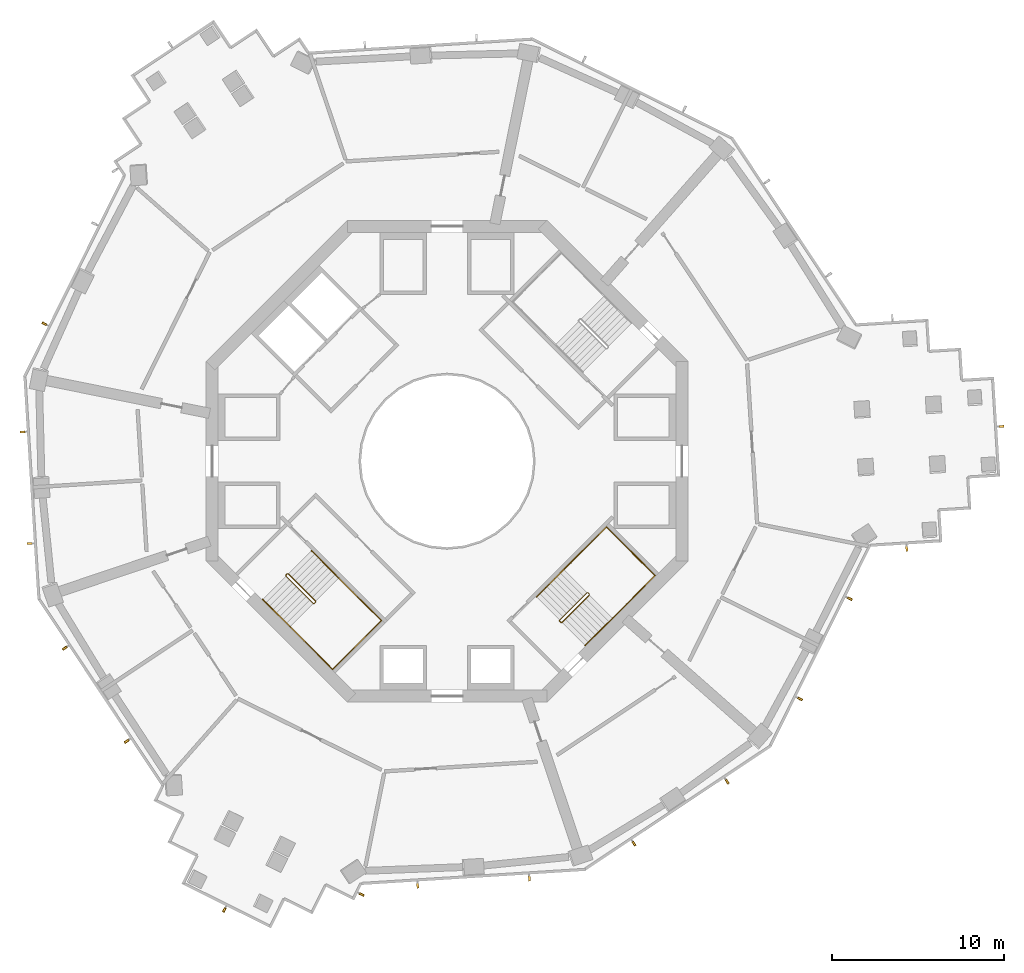
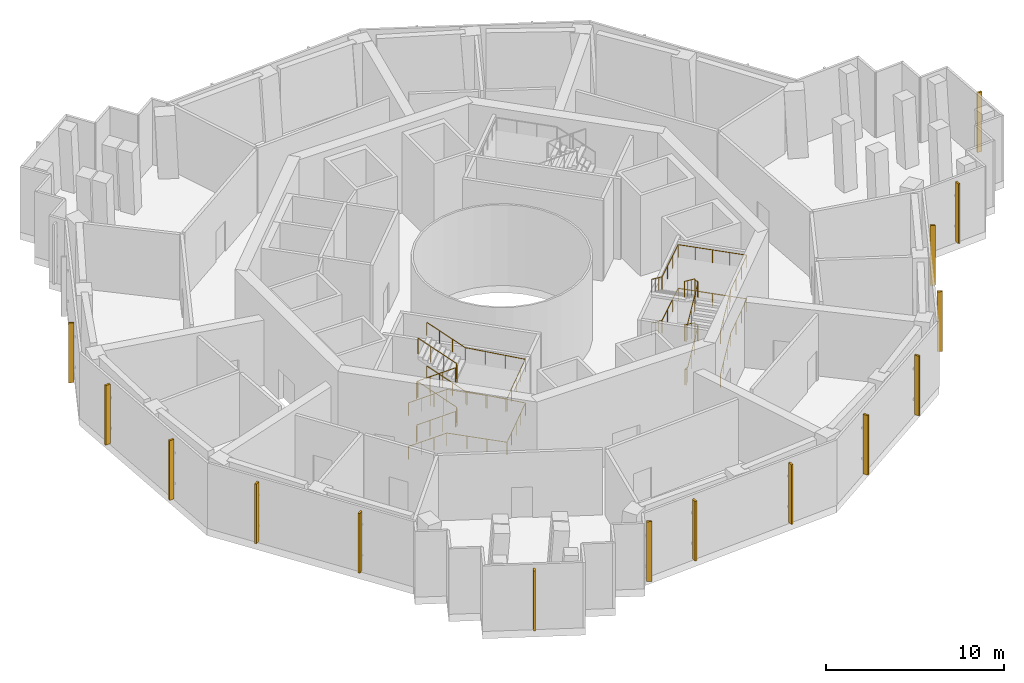
# One storey, part 15 of 16: 15 shading devices, 6 railings.
"""IFC4 building model written with IfcOpenShell, lengths in metres."""

from ifc_helpers import new_model, si_unit, direction, frame, origin, origin_2d, place, context, subcontext, project, spatial, rectangle, circle, extrude, material, material_profile, profile_set, type_object, element, save


model = new_model("IFC4")

# Units and contexts
model_context = context("Model", 3, precision=1e-05, world=origin(), true_north=direction((0.0, 1.0)))
body_context = subcontext(model_context, "Body", "Model", "MODEL_VIEW")
ifc_project = project(units=[si_unit("LENGTHUNIT", "METRE"), si_unit("AREAUNIT", "SQUARE_METRE"), si_unit("VOLUMEUNIT", "CUBIC_METRE"), si_unit("PLANEANGLEUNIT", "RADIAN"), si_unit("MASSUNIT", "GRAM", prefix="KILO")], contexts=[model_context])

# Site, building, storey
site_placement = place(None, origin())
site = spatial("IfcSite", under=ifc_project, at=site_placement, CompositionType="ELEMENT")
building_placement = place(site_placement, origin())
building = spatial("IfcBuilding", under=site, at=building_placement, Name="Verdalira Terraces Hotel", CompositionType="ELEMENT")
storey_placement = place(building_placement, frame((0.0, 0.0, 169.0)))
storey = spatial("IfcBuildingStorey", under=building, at=storey_placement, Name="L41", CompositionType="ELEMENT", Elevation=169.0)

# Railings
ifc_material_1 = material(Name="Stainless steel", Category="steel")
railing_type_1 = type_object("IfcRailingType", Name="Stair guard 1100", PredefinedType="GUARDRAIL", material=ifc_material_1)
railing_1_placement = place(storey_placement, frame((-9.369141, -6.611328, 0.0)))
element("IfcRailing", 1, at=railing_1_placement, inside=storey, type_object=railing_type_1, Name="L41 ST2 stair guard 1", PredefinedType="GUARDRAIL", context=body_context, shape_type="SweptSolid", body=[
    extrude(circle(Radius=0.023926, at=origin_2d()), frame((0.0, 0.0, 1.076172), z_axis=(0.70832698, 0.705884473, 0.0), x_axis=(-0.705884473, 0.70832698, 0.0)), (0.0, 0.0, 1.0), 0.099854),
    extrude(circle(Radius=0.023926, at=origin_2d()), frame((0.070801, 0.070557, 1.076172), z_axis=(-0.308122069, -0.615181649, 0.725680598), x_axis=(0.894118129, -0.447831187, 0.0)), (0.0, 0.0, 1.0), 0.229736),
    extrude(circle(Radius=0.023926, at=origin_2d()), frame((0.0, -0.070801, 1.242676), z_axis=(0.607628069, -0.607628069, 0.511445266), x_axis=(0.707106781, 0.707106781, 0.0)), (0.0, 0.0, 1.0), 2.606934),
    extrude(circle(Radius=0.023926, at=origin_2d()), frame((1.583984, -1.654785, 2.576172), z_axis=(1.0, 0.0, 0.0), x_axis=(0.0, 1.0, 0.0)), (0.0, 0.0, 1.0), 0.070557),
    extrude(circle(Radius=0.023926, at=origin_2d()), frame((1.654541, -1.654785, 2.576172), z_axis=(0.707106781, 0.707106781, 0.0), x_axis=(-0.707106781, 0.707106781, 0.0)), (0.0, 0.0, 1.0), 0.100098),
    extrude(circle(Radius=0.023926, at=origin_2d()), frame((1.725342, -1.583984, 2.576172), z_axis=(0.0, 0.389683978, 0.92094864), x_axis=(-1.0, 0.0, 0.0)), (0.0, 0.0, 1.0), 0.181152),
    extrude(circle(Radius=0.023926, at=origin_2d()), frame((1.725342, -1.513428, 2.742676), z_axis=(-0.607628069, 0.607628069, 0.511445266), x_axis=(-0.707106781, -0.707106781, 0.0)), (0.0, 0.0, 1.0), 2.606934),
    extrude(circle(Radius=0.023926, at=origin_2d()), frame((0.141357, 0.070557, 4.076172), z_axis=(-1.0, 0.0, 0.0), x_axis=(0.0, -1.0, 0.0)), (0.0, 0.0, 1.0), 0.070557),
    extrude(circle(Radius=0.023926, at=origin_2d()), frame((0.070801, 0.070557, 4.076172), z_axis=(-0.70832698, -0.705884473, 0.0), x_axis=(0.705884473, -0.70832698, 0.0)), (0.0, 0.0, 1.0), 0.099854),
    extrude(circle(Radius=0.023926, at=origin_2d()), frame((0.0, 0.0, 4.076172), z_axis=(0.0, -0.390826706, 0.920464277), x_axis=(1.0, 0.0, 0.0)), (0.0, 0.0, 1.0), 0.181152),
    extrude(circle(Radius=0.023926, at=origin_2d()), frame((0.0, -0.070801, 4.242676), z_axis=(0.607628069, -0.607628069, 0.511445266), x_axis=(0.707106781, 0.707106781, 0.0)), (0.0, 0.0, 1.0), 2.606934),
    extrude(circle(Radius=0.023926, at=origin_2d()), frame((1.583984, -1.654785, 5.576172), z_axis=(1.0, 0.0, 0.0), x_axis=(0.0, 1.0, 0.0)), (0.0, 0.0, 1.0), 0.070557),
    extrude(circle(Radius=0.023926, at=origin_2d()), frame((1.654541, -1.654785, 5.576172), z_axis=(0.707106781, 0.707106781, 0.0), x_axis=(-0.707106781, 0.707106781, 0.0)), (0.0, 0.0, 1.0), 0.100098),
    extrude(circle(Radius=0.023926, at=origin_2d()), frame((1.725342, -1.583984, 5.576172), z_axis=(0.0, 0.389683978, 0.92094864), x_axis=(-1.0, 0.0, 0.0)), (0.0, 0.0, 1.0), 0.181152),
    extrude(circle(Radius=0.023926, at=origin_2d()), frame((1.725342, -1.513428, 5.742676), z_axis=(-0.607628069, 0.607628069, 0.511445266), x_axis=(-0.707106781, -0.707106781, 0.0)), (0.0, 0.0, 1.0), 2.606934),
    extrude(circle(Radius=0.020996, at=origin_2d()), origin(), (0.0, 0.0, 1.0), 1.052002),
    extrude(circle(Radius=0.020996, at=origin_2d()), frame((0.070801, 0.070557, 0.0)), (0.0, 0.0, 1.0), 1.052002),
    extrude(circle(Radius=0.020996, at=origin_2d()), frame((0.0, -0.070801, 0.166748)), (0.0, 0.0, 1.0), 1.052002),
    extrude(circle(Radius=0.020996, at=origin_2d()), frame((0.528076, -0.598877, 0.611084)), (0.0, 0.0, 1.0), 1.052002),
    extrude(circle(Radius=0.020996, at=origin_2d()), frame((1.055908, -1.126709, 1.055664)), (0.0, 0.0, 1.0), 1.052002),
    extrude(circle(Radius=0.020996, at=origin_2d()), frame((1.583984, -1.654785, 1.5)), (0.0, 0.0, 1.0), 1.052002),
    extrude(circle(Radius=0.020996, at=origin_2d()), frame((1.654541, -1.654785, 1.5)), (0.0, 0.0, 1.0), 1.052002),
    extrude(circle(Radius=0.020996, at=origin_2d()), frame((1.725342, -1.583984, 1.5)), (0.0, 0.0, 1.0), 1.052002),
    extrude(circle(Radius=0.020996, at=origin_2d()), frame((1.725342, -1.513428, 1.666748)), (0.0, 0.0, 1.0), 1.052002),
    extrude(circle(Radius=0.020996, at=origin_2d()), frame((1.197266, -0.985352, 2.111084)), (0.0, 0.0, 1.0), 1.052002),
    extrude(circle(Radius=0.020996, at=origin_2d()), frame((0.669434, -0.45752, 2.555664)), (0.0, 0.0, 1.0), 1.052002),
    extrude(circle(Radius=0.020996, at=origin_2d()), frame((0.141357, 0.070557, 3.0)), (0.0, 0.0, 1.0), 1.052002),
    extrude(circle(Radius=0.020996, at=origin_2d()), frame((0.070801, 0.070557, 3.0)), (0.0, 0.0, 1.0), 1.052002),
    extrude(circle(Radius=0.020996, at=origin_2d()), frame((0.0, 0.0, 3.0)), (0.0, 0.0, 1.0), 1.052002),
    extrude(circle(Radius=0.020996, at=origin_2d()), frame((0.0, -0.070801, 3.166748)), (0.0, 0.0, 1.0), 1.052002),
    extrude(circle(Radius=0.020996, at=origin_2d()), frame((0.528076, -0.598877, 3.611084)), (0.0, 0.0, 1.0), 1.052002),
    extrude(circle(Radius=0.020996, at=origin_2d()), frame((1.055908, -1.126709, 4.055664)), (0.0, 0.0, 1.0), 1.052002),
    extrude(circle(Radius=0.020996, at=origin_2d()), frame((1.583984, -1.654785, 4.5)), (0.0, 0.0, 1.0), 1.052002),
    extrude(circle(Radius=0.020996, at=origin_2d()), frame((1.654541, -1.654785, 4.5)), (0.0, 0.0, 1.0), 1.052002),
    extrude(circle(Radius=0.020996, at=origin_2d()), frame((1.725342, -1.583984, 4.5)), (0.0, 0.0, 1.0), 1.052002),
    extrude(circle(Radius=0.020996, at=origin_2d()), frame((1.725342, -1.513428, 4.666748)), (0.0, 0.0, 1.0), 1.052002),
    extrude(circle(Radius=0.020996, at=origin_2d()), frame((1.197266, -0.985352, 5.111084)), (0.0, 0.0, 1.0), 1.052002),
    extrude(circle(Radius=0.020996, at=origin_2d()), frame((0.669434, -0.45752, 5.555664)), (0.0, 0.0, 1.0), 1.052002),
    extrude(circle(Radius=0.020996, at=origin_2d()), frame((0.141357, 0.070557, 6.0)), (0.0, 0.0, 1.0), 1.052002),
])
railing_2_placement = place(storey_placement, frame((6.611328, -9.369141, 0.0)))
element("IfcRailing", 2, at=railing_2_placement, inside=storey, type_object=railing_type_1, Name="L41 ST3 stair guard 1", PredefinedType="GUARDRAIL", context=body_context, shape_type="SweptSolid", body=[
    extrude(circle(Radius=0.023926, at=origin_2d()), frame((0.0, 0.0, 1.076172), z_axis=(-0.705884473, 0.70832698, 0.0), x_axis=(-0.70832698, -0.705884473, 0.0)), (0.0, 0.0, 1.0), 0.099854),
    extrude(circle(Radius=0.023926, at=origin_2d()), frame((-0.070557, 0.070801, 1.076172), z_axis=(0.615181649, -0.308122069, 0.725680598), x_axis=(0.447831187, 0.894118129, 0.0)), (0.0, 0.0, 1.0), 0.229736),
    extrude(circle(Radius=0.023926, at=origin_2d()), frame((0.070801, 0.0, 1.242676), z_axis=(0.607628069, 0.607628069, 0.511445266), x_axis=(-0.707106781, 0.707106781, 0.0)), (0.0, 0.0, 1.0), 2.606934),
    extrude(circle(Radius=0.023926, at=origin_2d()), frame((1.654785, 1.583984, 2.576172), z_axis=(0.0, 1.0, 0.0), x_axis=(-1.0, 0.0, 0.0)), (0.0, 0.0, 1.0), 0.070557),
    extrude(circle(Radius=0.023926, at=origin_2d()), frame((1.654785, 1.654541, 2.576172), z_axis=(-0.707106781, 0.707106781, 0.0), x_axis=(-0.707106781, -0.707106781, 0.0)), (0.0, 0.0, 1.0), 0.100098),
    extrude(circle(Radius=0.023926, at=origin_2d()), frame((1.583984, 1.725342, 2.576172), z_axis=(-0.389683978, 0.0, 0.92094864), x_axis=(0.0, -1.0, 0.0)), (0.0, 0.0, 1.0), 0.181152),
    extrude(circle(Radius=0.023926, at=origin_2d()), frame((1.513428, 1.725342, 2.742676), z_axis=(-0.607628069, -0.607628069, 0.511445266), x_axis=(0.707106781, -0.707106781, 0.0)), (0.0, 0.0, 1.0), 2.606934),
    extrude(circle(Radius=0.023926, at=origin_2d()), frame((-0.070557, 0.141357, 4.076172), z_axis=(0.0, -1.0, 0.0), x_axis=(1.0, 0.0, 0.0)), (0.0, 0.0, 1.0), 0.070557),
    extrude(circle(Radius=0.023926, at=origin_2d()), frame((-0.070557, 0.070801, 4.076172), z_axis=(0.705884473, -0.70832698, 0.0), x_axis=(0.70832698, 0.705884473, 0.0)), (0.0, 0.0, 1.0), 0.099854),
    extrude(circle(Radius=0.023926, at=origin_2d()), frame((0.0, 0.0, 4.076172), z_axis=(0.390826706, 0.0, 0.920464277), x_axis=(0.0, 1.0, 0.0)), (0.0, 0.0, 1.0), 0.181152),
    extrude(circle(Radius=0.023926, at=origin_2d()), frame((0.070801, 0.0, 4.242676), z_axis=(0.607628069, 0.607628069, 0.511445266), x_axis=(-0.707106781, 0.707106781, 0.0)), (0.0, 0.0, 1.0), 2.606934),
    extrude(circle(Radius=0.023926, at=origin_2d()), frame((1.654785, 1.583984, 5.576172), z_axis=(0.0, 1.0, 0.0), x_axis=(-1.0, 0.0, 0.0)), (0.0, 0.0, 1.0), 0.070557),
    extrude(circle(Radius=0.023926, at=origin_2d()), frame((1.654785, 1.654541, 5.576172), z_axis=(-0.707106781, 0.707106781, 0.0), x_axis=(-0.707106781, -0.707106781, 0.0)), (0.0, 0.0, 1.0), 0.100098),
    extrude(circle(Radius=0.023926, at=origin_2d()), frame((1.583984, 1.725342, 5.576172), z_axis=(-0.389683978, 0.0, 0.92094864), x_axis=(0.0, -1.0, 0.0)), (0.0, 0.0, 1.0), 0.181152),
    extrude(circle(Radius=0.023926, at=origin_2d()), frame((1.513428, 1.725342, 5.742676), z_axis=(-0.607628069, -0.607628069, 0.511445266), x_axis=(0.707106781, -0.707106781, 0.0)), (0.0, 0.0, 1.0), 2.606934),
    extrude(circle(Radius=0.020996, at=origin_2d()), origin(), (0.0, 0.0, 1.0), 1.052002),
    extrude(circle(Radius=0.020996, at=origin_2d()), frame((-0.070557, 0.070801, 0.0)), (0.0, 0.0, 1.0), 1.052002),
    extrude(circle(Radius=0.020996, at=origin_2d()), frame((0.070801, 0.0, 0.166748)), (0.0, 0.0, 1.0), 1.052002),
    extrude(circle(Radius=0.020996, at=origin_2d()), frame((0.598877, 0.528076, 0.611084)), (0.0, 0.0, 1.0), 1.052002),
    extrude(circle(Radius=0.020996, at=origin_2d()), frame((1.126709, 1.055908, 1.055664)), (0.0, 0.0, 1.0), 1.052002),
    extrude(circle(Radius=0.020996, at=origin_2d()), frame((1.654785, 1.583984, 1.5)), (0.0, 0.0, 1.0), 1.052002),
    extrude(circle(Radius=0.020996, at=origin_2d()), frame((1.654785, 1.654541, 1.5)), (0.0, 0.0, 1.0), 1.052002),
    extrude(circle(Radius=0.020996, at=origin_2d()), frame((1.583984, 1.725342, 1.5)), (0.0, 0.0, 1.0), 1.052002),
    extrude(circle(Radius=0.020996, at=origin_2d()), frame((1.513428, 1.725342, 1.666748)), (0.0, 0.0, 1.0), 1.052002),
    extrude(circle(Radius=0.020996, at=origin_2d()), frame((0.985352, 1.197266, 2.111084)), (0.0, 0.0, 1.0), 1.052002),
    extrude(circle(Radius=0.020996, at=origin_2d()), frame((0.45752, 0.669434, 2.555664)), (0.0, 0.0, 1.0), 1.052002),
    extrude(circle(Radius=0.020996, at=origin_2d()), frame((-0.070557, 0.141357, 3.0)), (0.0, 0.0, 1.0), 1.052002),
    extrude(circle(Radius=0.020996, at=origin_2d()), frame((-0.070557, 0.070801, 3.0)), (0.0, 0.0, 1.0), 1.052002),
    extrude(circle(Radius=0.020996, at=origin_2d()), frame((0.0, 0.0, 3.0)), (0.0, 0.0, 1.0), 1.052002),
    extrude(circle(Radius=0.020996, at=origin_2d()), frame((0.070801, 0.0, 3.166748)), (0.0, 0.0, 1.0), 1.052002),
    extrude(circle(Radius=0.020996, at=origin_2d()), frame((0.598877, 0.528076, 3.611084)), (0.0, 0.0, 1.0), 1.052002),
    extrude(circle(Radius=0.020996, at=origin_2d()), frame((1.126709, 1.055908, 4.055664)), (0.0, 0.0, 1.0), 1.052002),
    extrude(circle(Radius=0.020996, at=origin_2d()), frame((1.654785, 1.583984, 4.5)), (0.0, 0.0, 1.0), 1.052002),
    extrude(circle(Radius=0.020996, at=origin_2d()), frame((1.654785, 1.654541, 4.5)), (0.0, 0.0, 1.0), 1.052002),
    extrude(circle(Radius=0.020996, at=origin_2d()), frame((1.583984, 1.725342, 4.5)), (0.0, 0.0, 1.0), 1.052002),
    extrude(circle(Radius=0.020996, at=origin_2d()), frame((1.513428, 1.725342, 4.666748)), (0.0, 0.0, 1.0), 1.052002),
    extrude(circle(Radius=0.020996, at=origin_2d()), frame((0.985352, 1.197266, 5.111084)), (0.0, 0.0, 1.0), 1.052002),
    extrude(circle(Radius=0.020996, at=origin_2d()), frame((0.45752, 0.669434, 5.555664)), (0.0, 0.0, 1.0), 1.052002),
    extrude(circle(Radius=0.020996, at=origin_2d()), frame((-0.070557, 0.141357, 6.0)), (0.0, 0.0, 1.0), 1.052002),
])
ifc_material_2 = material(Name="Stainless steel", Category="steel")
railing_type_2 = type_object("IfcRailingType", Name="Stair handrail 900", PredefinedType="HANDRAIL", material=ifc_material_2)
railing_3_placement = place(storey_placement, frame((-10.712646, -8.025635, 0.166748)))
element("IfcRailing", 3, at=railing_3_placement, inside=storey, type_object=railing_type_2, Name="L41 ST2 stair handrail 1", PredefinedType="HANDRAIL", context=body_context, shape_type="SweptSolid", body=[
    extrude(circle(Radius=0.023926, at=origin_2d()), frame((0.0, 0.0, 0.875977), z_axis=(0.607628069, -0.607628069, 0.511445266), x_axis=(0.707106781, 0.707106781, 0.0)), (0.0, 0.0, 1.0), 2.606934),
    extrude(circle(Radius=0.023926, at=origin_2d()), frame((1.583984, -1.583984, 2.208984), z_axis=(0.707106781, -0.707106781, 0.0), x_axis=(0.707106781, 0.707106781, 0.0)), (0.0, 0.0, 1.0), 3.51001),
    extrude(circle(Radius=0.023926, at=origin_2d()), frame((4.065918, -4.065918, 2.208984), z_axis=(0.707106781, 0.707106781, 0.0), x_axis=(-0.707106781, 0.707106781, 0.0)), (0.0, 0.0, 1.0), 4.0),
    extrude(circle(Radius=0.023926, at=origin_2d()), frame((6.894287, -1.237549, 2.208984), z_axis=(-0.706310197, 0.706310197, 0.047453262), x_axis=(-0.707106781, -0.707106781, 0.0)), (0.0, 0.0, 1.0), 3.513916),
    extrude(circle(Radius=0.023926, at=origin_2d()), frame((4.412354, 1.244385, 2.375977), z_axis=(-0.607628069, 0.607628069, 0.511445266), x_axis=(-0.707106781, -0.707106781, 0.0)), (0.0, 0.0, 1.0), 2.606934),
    extrude(circle(Radius=0.020996, at=origin_2d()), origin(), (0.0, 0.0, 1.0), 0.851807),
    extrude(circle(Radius=0.020996, at=origin_2d()), frame((0.528076, -0.528076, 0.444336)), (0.0, 0.0, 1.0), 0.851807),
    extrude(circle(Radius=0.020996, at=origin_2d()), frame((1.055908, -1.055908, 0.888916)), (0.0, 0.0, 1.0), 0.851807),
    extrude(circle(Radius=0.020996, at=origin_2d()), frame((1.583984, -1.583984, 1.333252)), (0.0, 0.0, 1.0), 0.851807),
    extrude(circle(Radius=0.020996, at=origin_2d()), frame((2.411377, -2.411377, 1.333252)), (0.0, 0.0, 1.0), 0.851807),
    extrude(circle(Radius=0.020996, at=origin_2d()), frame((3.238525, -3.238525, 1.333252)), (0.0, 0.0, 1.0), 0.851807),
    extrude(circle(Radius=0.020996, at=origin_2d()), frame((4.065918, -4.065918, 1.333252)), (0.0, 0.0, 1.0), 0.851807),
    extrude(circle(Radius=0.020996, at=origin_2d()), frame((4.772949, -3.358887, 1.333252)), (0.0, 0.0, 1.0), 0.851807),
    extrude(circle(Radius=0.020996, at=origin_2d()), frame((5.47998, -2.651855, 1.333252)), (0.0, 0.0, 1.0), 0.851807),
    extrude(circle(Radius=0.020996, at=origin_2d()), frame((6.187256, -1.94458, 1.333252)), (0.0, 0.0, 1.0), 0.851807),
    extrude(circle(Radius=0.020996, at=origin_2d()), frame((6.894287, -1.237549, 1.333252)), (0.0, 0.0, 1.0), 0.851807),
    extrude(circle(Radius=0.020996, at=origin_2d()), frame((6.066895, -0.410156, 1.388916)), (0.0, 0.0, 1.0), 0.851807),
    extrude(circle(Radius=0.020996, at=origin_2d()), frame((5.239746, 0.416992, 1.444336)), (0.0, 0.0, 1.0), 0.851807),
    extrude(circle(Radius=0.020996, at=origin_2d()), frame((4.412354, 1.244385, 1.5)), (0.0, 0.0, 1.0), 0.851807),
    extrude(circle(Radius=0.020996, at=origin_2d()), frame((3.884277, 1.772461, 1.944336)), (0.0, 0.0, 1.0), 0.851807),
    extrude(circle(Radius=0.020996, at=origin_2d()), frame((3.356445, 2.300293, 2.388916)), (0.0, 0.0, 1.0), 0.851807),
    extrude(circle(Radius=0.020996, at=origin_2d()), frame((2.828369, 2.828369, 2.833252)), (0.0, 0.0, 1.0), 0.851807),
])
railing_4_placement = place(storey_placement, frame((-10.712646, -8.025635, 3.166748)))
element("IfcRailing", 4, at=railing_4_placement, inside=storey, type_object=railing_type_2, Name="L41 ST2 stair handrail 2", PredefinedType="HANDRAIL", context=body_context, shape_type="SweptSolid", body=[
    extrude(circle(Radius=0.023926, at=origin_2d()), frame((0.0, 0.0, 0.875977), z_axis=(0.607628069, -0.607628069, 0.511445266), x_axis=(0.707106781, 0.707106781, 0.0)), (0.0, 0.0, 1.0), 2.606934),
    extrude(circle(Radius=0.023926, at=origin_2d()), frame((1.583984, -1.583984, 2.208984), z_axis=(0.707106781, -0.707106781, 0.0), x_axis=(0.707106781, 0.707106781, 0.0)), (0.0, 0.0, 1.0), 3.51001),
    extrude(circle(Radius=0.023926, at=origin_2d()), frame((4.065918, -4.065918, 2.208984), z_axis=(0.707106781, 0.707106781, 0.0), x_axis=(-0.707106781, 0.707106781, 0.0)), (0.0, 0.0, 1.0), 4.0),
    extrude(circle(Radius=0.023926, at=origin_2d()), frame((6.894287, -1.237549, 2.208984), z_axis=(-0.706310197, 0.706310197, 0.047453262), x_axis=(-0.707106781, -0.707106781, 0.0)), (0.0, 0.0, 1.0), 3.513916),
    extrude(circle(Radius=0.023926, at=origin_2d()), frame((4.412354, 1.244385, 2.375977), z_axis=(-0.607628069, 0.607628069, 0.511445266), x_axis=(-0.707106781, -0.707106781, 0.0)), (0.0, 0.0, 1.0), 2.606934),
    extrude(circle(Radius=0.020996, at=origin_2d()), origin(), (0.0, 0.0, 1.0), 0.851807),
    extrude(circle(Radius=0.020996, at=origin_2d()), frame((0.528076, -0.528076, 0.444336)), (0.0, 0.0, 1.0), 0.851807),
    extrude(circle(Radius=0.020996, at=origin_2d()), frame((1.055908, -1.055908, 0.888916)), (0.0, 0.0, 1.0), 0.851807),
    extrude(circle(Radius=0.020996, at=origin_2d()), frame((1.583984, -1.583984, 1.333252)), (0.0, 0.0, 1.0), 0.851807),
    extrude(circle(Radius=0.020996, at=origin_2d()), frame((2.411377, -2.411377, 1.333252)), (0.0, 0.0, 1.0), 0.851807),
    extrude(circle(Radius=0.020996, at=origin_2d()), frame((3.238525, -3.238525, 1.333252)), (0.0, 0.0, 1.0), 0.851807),
    extrude(circle(Radius=0.020996, at=origin_2d()), frame((4.065918, -4.065918, 1.333252)), (0.0, 0.0, 1.0), 0.851807),
    extrude(circle(Radius=0.020996, at=origin_2d()), frame((4.772949, -3.358887, 1.333252)), (0.0, 0.0, 1.0), 0.851807),
    extrude(circle(Radius=0.020996, at=origin_2d()), frame((5.47998, -2.651855, 1.333252)), (0.0, 0.0, 1.0), 0.851807),
    extrude(circle(Radius=0.020996, at=origin_2d()), frame((6.187256, -1.94458, 1.333252)), (0.0, 0.0, 1.0), 0.851807),
    extrude(circle(Radius=0.020996, at=origin_2d()), frame((6.894287, -1.237549, 1.333252)), (0.0, 0.0, 1.0), 0.851807),
    extrude(circle(Radius=0.020996, at=origin_2d()), frame((6.066895, -0.410156, 1.388916)), (0.0, 0.0, 1.0), 0.851807),
    extrude(circle(Radius=0.020996, at=origin_2d()), frame((5.239746, 0.416992, 1.444336)), (0.0, 0.0, 1.0), 0.851807),
    extrude(circle(Radius=0.020996, at=origin_2d()), frame((4.412354, 1.244385, 1.5)), (0.0, 0.0, 1.0), 0.851807),
    extrude(circle(Radius=0.020996, at=origin_2d()), frame((3.884277, 1.772461, 1.944336)), (0.0, 0.0, 1.0), 0.851807),
    extrude(circle(Radius=0.020996, at=origin_2d()), frame((3.356445, 2.300293, 2.388916)), (0.0, 0.0, 1.0), 0.851807),
    extrude(circle(Radius=0.020996, at=origin_2d()), frame((2.828369, 2.828369, 2.833252)), (0.0, 0.0, 1.0), 0.851807),
])
railing_5_placement = place(storey_placement, frame((8.025635, -10.712646, 0.166748)))
element("IfcRailing", 5, at=railing_5_placement, inside=storey, type_object=railing_type_2, Name="L41 ST3 stair handrail 1", PredefinedType="HANDRAIL", context=body_context, shape_type="SweptSolid", body=[
    extrude(circle(Radius=0.023926, at=origin_2d()), frame((0.0, 0.0, 0.875977), z_axis=(0.607628069, 0.607628069, 0.511445266), x_axis=(-0.707106781, 0.707106781, 0.0)), (0.0, 0.0, 1.0), 2.606934),
    extrude(circle(Radius=0.023926, at=origin_2d()), frame((1.583984, 1.583984, 2.208984), z_axis=(0.707106781, 0.707106781, 0.0), x_axis=(-0.707106781, 0.707106781, 0.0)), (0.0, 0.0, 1.0), 3.51001),
    extrude(circle(Radius=0.023926, at=origin_2d()), frame((4.065918, 4.065918, 2.208984), z_axis=(-0.707106781, 0.707106781, 0.0), x_axis=(-0.707106781, -0.707106781, 0.0)), (0.0, 0.0, 1.0), 4.0),
    extrude(circle(Radius=0.023926, at=origin_2d()), frame((1.237549, 6.894287, 2.208984), z_axis=(-0.706310197, -0.706310197, 0.047453262), x_axis=(0.707106781, -0.707106781, 0.0)), (0.0, 0.0, 1.0), 3.513916),
    extrude(circle(Radius=0.023926, at=origin_2d()), frame((-1.244385, 4.412354, 2.375977), z_axis=(-0.607628069, -0.607628069, 0.511445266), x_axis=(0.707106781, -0.707106781, 0.0)), (0.0, 0.0, 1.0), 2.606934),
    extrude(circle(Radius=0.020996, at=origin_2d()), origin(), (0.0, 0.0, 1.0), 0.851807),
    extrude(circle(Radius=0.020996, at=origin_2d()), frame((0.528076, 0.528076, 0.444336)), (0.0, 0.0, 1.0), 0.851807),
    extrude(circle(Radius=0.020996, at=origin_2d()), frame((1.055908, 1.055908, 0.888916)), (0.0, 0.0, 1.0), 0.851807),
    extrude(circle(Radius=0.020996, at=origin_2d()), frame((1.583984, 1.583984, 1.333252)), (0.0, 0.0, 1.0), 0.851807),
    extrude(circle(Radius=0.020996, at=origin_2d()), frame((2.411377, 2.411377, 1.333252)), (0.0, 0.0, 1.0), 0.851807),
    extrude(circle(Radius=0.020996, at=origin_2d()), frame((3.238525, 3.238525, 1.333252)), (0.0, 0.0, 1.0), 0.851807),
    extrude(circle(Radius=0.020996, at=origin_2d()), frame((4.065918, 4.065918, 1.333252)), (0.0, 0.0, 1.0), 0.851807),
    extrude(circle(Radius=0.020996, at=origin_2d()), frame((3.358887, 4.772949, 1.333252)), (0.0, 0.0, 1.0), 0.851807),
    extrude(circle(Radius=0.020996, at=origin_2d()), frame((2.651855, 5.47998, 1.333252)), (0.0, 0.0, 1.0), 0.851807),
    extrude(circle(Radius=0.020996, at=origin_2d()), frame((1.94458, 6.187256, 1.333252)), (0.0, 0.0, 1.0), 0.851807),
    extrude(circle(Radius=0.020996, at=origin_2d()), frame((1.237549, 6.894287, 1.333252)), (0.0, 0.0, 1.0), 0.851807),
    extrude(circle(Radius=0.020996, at=origin_2d()), frame((0.410156, 6.066895, 1.388916)), (0.0, 0.0, 1.0), 0.851807),
    extrude(circle(Radius=0.020996, at=origin_2d()), frame((-0.416992, 5.239746, 1.444336)), (0.0, 0.0, 1.0), 0.851807),
    extrude(circle(Radius=0.020996, at=origin_2d()), frame((-1.244385, 4.412354, 1.5)), (0.0, 0.0, 1.0), 0.851807),
    extrude(circle(Radius=0.020996, at=origin_2d()), frame((-1.772461, 3.884277, 1.944336)), (0.0, 0.0, 1.0), 0.851807),
    extrude(circle(Radius=0.020996, at=origin_2d()), frame((-2.300293, 3.356445, 2.388916)), (0.0, 0.0, 1.0), 0.851807),
    extrude(circle(Radius=0.020996, at=origin_2d()), frame((-2.828369, 2.828369, 2.833252)), (0.0, 0.0, 1.0), 0.851807),
])
railing_6_placement = place(storey_placement, frame((8.025635, -10.712646, 3.166748)))
element("IfcRailing", 6, at=railing_6_placement, inside=storey, type_object=railing_type_2, Name="L41 ST3 stair handrail 2", PredefinedType="HANDRAIL", context=body_context, shape_type="SweptSolid", body=[
    extrude(circle(Radius=0.023926, at=origin_2d()), frame((0.0, 0.0, 0.875977), z_axis=(0.607628069, 0.607628069, 0.511445266), x_axis=(-0.707106781, 0.707106781, 0.0)), (0.0, 0.0, 1.0), 2.606934),
    extrude(circle(Radius=0.023926, at=origin_2d()), frame((1.583984, 1.583984, 2.208984), z_axis=(0.707106781, 0.707106781, 0.0), x_axis=(-0.707106781, 0.707106781, 0.0)), (0.0, 0.0, 1.0), 3.51001),
    extrude(circle(Radius=0.023926, at=origin_2d()), frame((4.065918, 4.065918, 2.208984), z_axis=(-0.707106781, 0.707106781, 0.0), x_axis=(-0.707106781, -0.707106781, 0.0)), (0.0, 0.0, 1.0), 4.0),
    extrude(circle(Radius=0.023926, at=origin_2d()), frame((1.237549, 6.894287, 2.208984), z_axis=(-0.706310197, -0.706310197, 0.047453262), x_axis=(0.707106781, -0.707106781, 0.0)), (0.0, 0.0, 1.0), 3.513916),
    extrude(circle(Radius=0.023926, at=origin_2d()), frame((-1.244385, 4.412354, 2.375977), z_axis=(-0.607628069, -0.607628069, 0.511445266), x_axis=(0.707106781, -0.707106781, 0.0)), (0.0, 0.0, 1.0), 2.606934),
    extrude(circle(Radius=0.020996, at=origin_2d()), origin(), (0.0, 0.0, 1.0), 0.851807),
    extrude(circle(Radius=0.020996, at=origin_2d()), frame((0.528076, 0.528076, 0.444336)), (0.0, 0.0, 1.0), 0.851807),
    extrude(circle(Radius=0.020996, at=origin_2d()), frame((1.055908, 1.055908, 0.888916)), (0.0, 0.0, 1.0), 0.851807),
    extrude(circle(Radius=0.020996, at=origin_2d()), frame((1.583984, 1.583984, 1.333252)), (0.0, 0.0, 1.0), 0.851807),
    extrude(circle(Radius=0.020996, at=origin_2d()), frame((2.411377, 2.411377, 1.333252)), (0.0, 0.0, 1.0), 0.851807),
    extrude(circle(Radius=0.020996, at=origin_2d()), frame((3.238525, 3.238525, 1.333252)), (0.0, 0.0, 1.0), 0.851807),
    extrude(circle(Radius=0.020996, at=origin_2d()), frame((4.065918, 4.065918, 1.333252)), (0.0, 0.0, 1.0), 0.851807),
    extrude(circle(Radius=0.020996, at=origin_2d()), frame((3.358887, 4.772949, 1.333252)), (0.0, 0.0, 1.0), 0.851807),
    extrude(circle(Radius=0.020996, at=origin_2d()), frame((2.651855, 5.47998, 1.333252)), (0.0, 0.0, 1.0), 0.851807),
    extrude(circle(Radius=0.020996, at=origin_2d()), frame((1.94458, 6.187256, 1.333252)), (0.0, 0.0, 1.0), 0.851807),
    extrude(circle(Radius=0.020996, at=origin_2d()), frame((1.237549, 6.894287, 1.333252)), (0.0, 0.0, 1.0), 0.851807),
    extrude(circle(Radius=0.020996, at=origin_2d()), frame((0.410156, 6.066895, 1.388916)), (0.0, 0.0, 1.0), 0.851807),
    extrude(circle(Radius=0.020996, at=origin_2d()), frame((-0.416992, 5.239746, 1.444336)), (0.0, 0.0, 1.0), 0.851807),
    extrude(circle(Radius=0.020996, at=origin_2d()), frame((-1.244385, 4.412354, 1.5)), (0.0, 0.0, 1.0), 0.851807),
    extrude(circle(Radius=0.020996, at=origin_2d()), frame((-1.772461, 3.884277, 1.944336)), (0.0, 0.0, 1.0), 0.851807),
    extrude(circle(Radius=0.020996, at=origin_2d()), frame((-2.300293, 3.356445, 2.388916)), (0.0, 0.0, 1.0), 0.851807),
    extrude(circle(Radius=0.020996, at=origin_2d()), frame((-2.828369, 2.828369, 2.833252)), (0.0, 0.0, 1.0), 0.851807),
])

# Shading devices
ifc_material_3 = material(Name="Terracotta frame", Category="masonry")
ifc_material_profile = material_profile(ifc_material_3, rectangle(XDim=0.120117, YDim=0.300049, at=origin_2d()), Name="FIN 120x300")
ifc_profile_set = profile_set([ifc_material_profile], Name="Terracotta frame")
shading_device_type = type_object("IfcShadingDeviceType", Name="Terracotta fin 120x300", PredefinedType="USERDEFINED", material=ifc_profile_set)
for number, where, z_axis, x_axis, name in (
    (7, (-23.397461, 7.986084, 0.199951), (0.0, 0.0, 1.0), (-0.444635179, -0.89571176, 0.0), "Terracotta fin"),
    (8, (-24.664062, 1.70459, 0.199951), (0.0, 0.0, 1.0), (0.06279052, -0.998026728, 0.0), "Terracotta fin"),
    (9, (-24.255859, -4.782471, 0.199951), (0.0, 0.0, 1.0), (0.06279052, -0.998026728, 0.0), "Terracotta fin"),
    (10, (-22.211914, -10.855713, 0.199951), (0.0, 0.0, 1.0), (0.553391549, -0.832921241, 0.0), "Terracotta fin"),
    (11, (-18.61499, -16.269775, 0.199951), (0.0, 0.0, 1.0), (0.553391549, -0.832921241, 0.0), "Terracotta fin"),
    (12, (-12.942627, -26.072754, 0.199951), (0.0, 0.0, 1.0), (0.89571176, -0.444635179, 0.0), "Terracotta fin"),
    (13, (-4.962402, -25.177734, 0.199951), (0.0, 0.0, 1.0), (0.444635179, 0.89571176, 0.0), "Terracotta fin"),
    (14, (-1.70459, -24.664062, 0.199951), (0.0, 0.0, 1.0), (0.998026728, 0.06279052, 0.0), "Terracotta fin"),
    (15, (4.782471, -24.255859, 0.199951), (0.0, 0.0, 1.0), (0.998026728, 0.06279052, 0.0), "Terracotta fin"),
    (16, (10.855713, -22.211914, 0.199951), (0.0, 0.0, 1.0), (0.832921241, 0.553391549, 0.0), "Terracotta fin"),
    (17, (16.269775, -18.61499, 0.199951), (0.0, 0.0, 1.0), (0.832921241, 0.553391549, 0.0), "Terracotta fin"),
    (18, (20.507324, -13.80835, 0.199951), (0.0, 0.0, 1.0), (0.444635179, 0.89571176, 0.0), "Terracotta fin"),
    (19, (23.397461, -7.986084, 0.199951), (0.0, 0.0, 1.0), (0.444635179, 0.89571176, 0.0), "Terracotta fin"),
    (20, (26.713379, -5.082764, 0.199951), (0.0, 0.0, 1.0), (0.998026728, 0.06279052, 0.0), "Terracotta fin"),
    (21, (32.210938, 2.026611, 0.199951), (0.0, 0.0, 1.0), (-0.06279052, 0.998026728, 0.0), "Terracotta fin"),
):
    element("IfcShadingDevice", number, at=place(storey_placement, frame(where, z_axis=z_axis, x_axis=x_axis)), inside=storey, type_object=shading_device_type, Name=name, ObjectType="FIN", PredefinedType="USERDEFINED", context=body_context, shape_type="SweptSolid", body=[
        extrude(rectangle(XDim=0.120117, YDim=0.300049, at=origin_2d()), origin(), (0.0, 0.0, 1.0), 4.100098),
    ])

save(model, "model.ifc")
